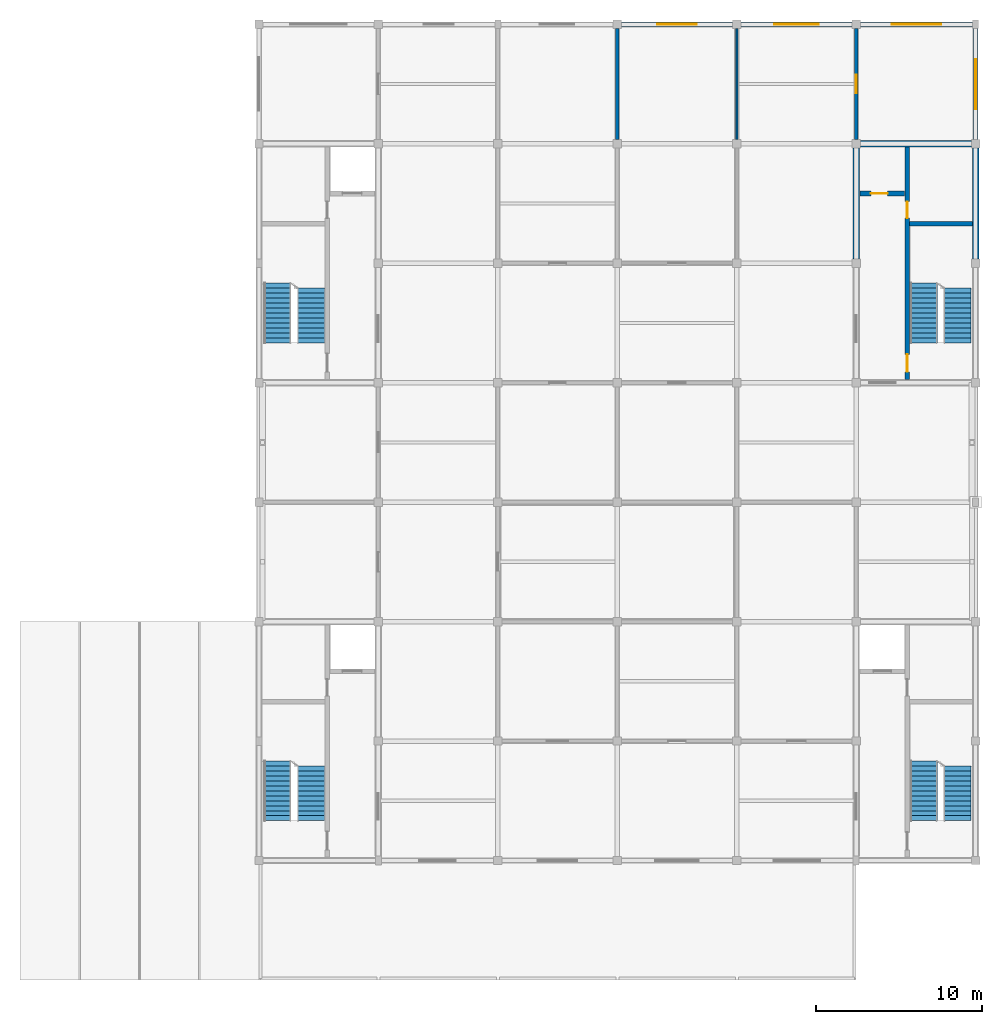
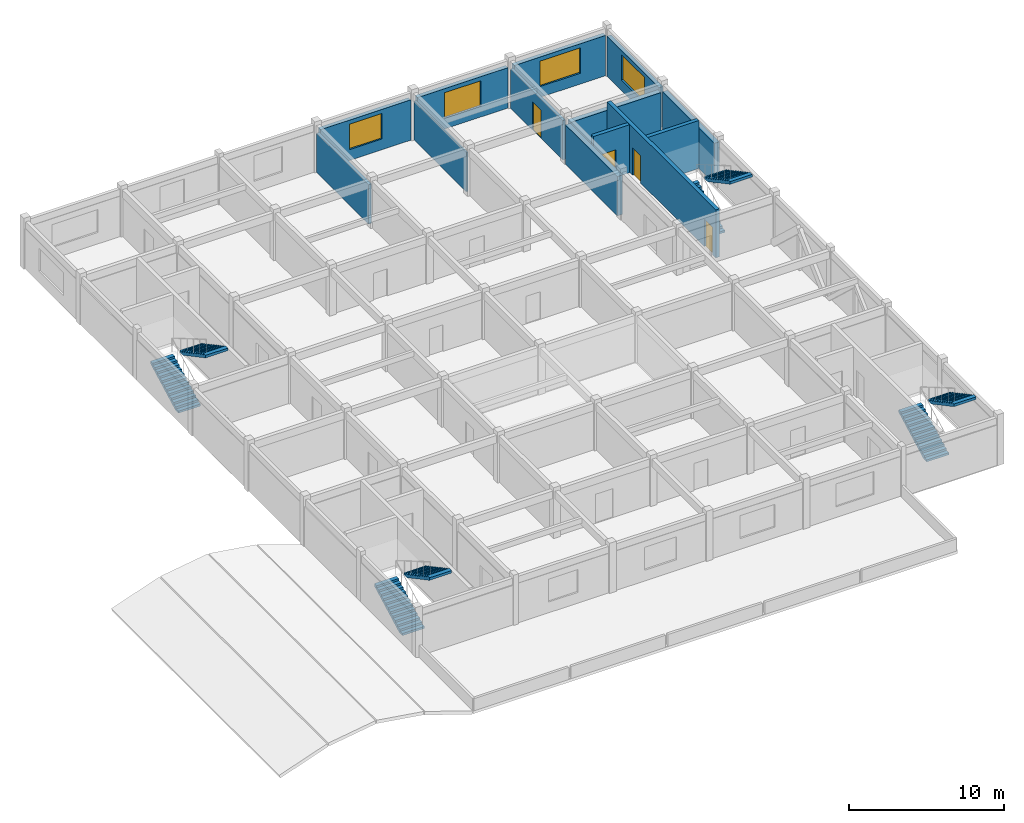
# One storey, part 5 of 6: 13 walls, 8 stair flights, 4 doors, 4 windows, 8 openings, 4 elements without a shape of their own.
"""IFC4 building model written with IfcOpenShell, lengths in metres."""

from ifc_helpers import new_model, si_unit, direction, frame, frame_2d, origin, place, context, subcontext, project, spatial, polyline, rectangle, outline, extrude, material, layer, layer_set, type_object, element, fill, aggregate, save


model = new_model("IFC4")

# Units and contexts
model_context = context("Model", 3, precision=1e-05, world=origin(), true_north=direction((0.0, 1.0)))
body_context = subcontext(model_context, "Body", "Model", "MODEL_VIEW")
ifc_project = project(units=[si_unit("LENGTHUNIT", "METRE"), si_unit("AREAUNIT", "SQUARE_METRE"), si_unit("VOLUMEUNIT", "CUBIC_METRE"), si_unit("PLANEANGLEUNIT", "RADIAN"), si_unit("MASSUNIT", "GRAM", prefix="KILO")], contexts=[model_context])

# Site, building, storey
site_placement = place(None, origin())
site = spatial("IfcSite", under=ifc_project, at=site_placement, CompositionType="ELEMENT")
building_placement = place(site_placement, origin())
building = spatial("IfcBuilding", under=site, at=building_placement, Name="Cendaluz Park School", CompositionType="ELEMENT")
storey_placement = place(building_placement, frame((0.0, 0.0, 55.0)))
storey = spatial("IfcBuildingStorey", under=building, at=storey_placement, Name="L13", CompositionType="ELEMENT", Elevation=55.0)

# Wall, opening, door
ifc_material_1 = material(Name="Gypsum Plasterboard on Cold-Formed Stud", Category="gypsum")
ifc_layer_1 = layer(ifc_material_1, 0.199951171875)
ifc_layer_set_1 = layer_set([ifc_layer_1], Name="Gypsum Plasterboard on Cold-Formed Stud")
wall_type_1 = type_object("IfcWallType", Name="W-AC20", PredefinedType="PARTITIONING", material=ifc_layer_set_1)
wall_1_placement = place(storey_placement, frame((100.800048828125, 57.85009765625, 0.0), z_axis=(0.0, 0.0, 1.0), x_axis=(0.0, 1.0, 0.0)))
wall_1 = element("IfcWall", 1, at=wall_1_placement, inside=storey, type_object=wall_type_1, Name="WL-FN-BN0", PredefinedType="PARTITIONING", context=body_context, shape_type="SweptSolid", body=[
    extrude(rectangle(XDim=6.699951171875, YDim=0.199951171875, at=frame_2d((3.35009765625, 0.0))), origin(), (0.0, 0.0, 1.0), 3.090087890625),
])
opening_1_placement = place(wall_1_placement, frame((2.7900390625, 0.0, 0.0)))
opening_1 = element("IfcOpeningElement", 2, at=opening_1_placement, cuts=wall_1, Name="Opening DCL-06", PredefinedType="OPENING", context=body_context, shape_type="SweptSolid", body=[
    extrude(rectangle(XDim=1.1201171875, YDim=2.199951171875, at=frame_2d((0.56005859375, 1.10009765625))), frame((0.0, 0.112060546875, 0.0), z_axis=(0.0, -1.0, 0.0), x_axis=(1.0, 0.0, 0.0)), (0.0, 0.0, 1.0), 0.223876953125),
])
ifc_material_2 = material(Name="Solid Core Hardwood", Category="wood")
door_type_1 = type_object("IfcDoorType", Name="DCL-06", OperationType="NOTDEFINED", PredefinedType="DOOR", material=ifc_material_2)
door_1_placement = place(opening_1_placement, frame((1.1201171875, 0.0, 0.0), z_axis=(0.0, 0.0, 1.0), x_axis=(-1.0, 0.0, 0.0)))
door_1 = element("IfcDoor", 3, at=door_1_placement, inside=storey, type_object=door_type_1, Name="D-L13-029", OperationType="SINGLE_SWING_RIGHT", OverallHeight=2.199951171875, OverallWidth=1.1201171875, PredefinedType="DOOR", context=body_context, shape_type="SweptSolid", body=[
    extrude(rectangle(XDim=1.1201171875, YDim=2.199951171875, at=frame_2d((0.56005859375, 1.10009765625))), frame((0.0, 0.02490234375, 0.0), z_axis=(0.0, -1.0, 0.0), x_axis=(1.0, 0.0, 0.0)), (0.0, 0.0, 1.0), 0.050048828125),
])
fill(opening_1, door_1)

# Wall, opening, window
ifc_material_3 = material(Name="Cross-laminated timber CLT C24", Category="wood")
ifc_layer_2 = layer(ifc_material_3, 0.300048828125)
ifc_layer_set_2 = layer_set([ifc_layer_2], Name="Cross-laminated timber CLT C24")
wall_type_2 = type_object("IfcWallType", Name="W-EX30", PredefinedType="SOLIDWALL", material=ifc_layer_set_2)
wall_2_placement = place(storey_placement, frame((86.64990234375, 64.800048828125, 0.0), z_axis=(0.0, 0.0, 1.0), x_axis=(1.0, 0.0, 0.0)))
wall_2 = element("IfcWall", 4, at=wall_2_placement, inside=storey, type_object=wall_type_2, Name="WL-FN-AA9", PredefinedType="SOLIDWALL", context=body_context, shape_type="SweptSolid", body=[
    extrude(rectangle(XDim=6.7001953125, YDim=0.300048828125, at=frame_2d((3.35009765625, 0.0))), origin(), (0.0, 0.0, 1.0), 3.169921875),
])
opening_2_placement = place(wall_2_placement, frame((2.14990234375, 0.0, 0.85009765625)))
opening_2 = element("IfcOpeningElement", 5, at=opening_2_placement, cuts=wall_2, Name="Opening WN-12", PredefinedType="OPENING", context=body_context, shape_type="SweptSolid", body=[
    extrude(rectangle(XDim=2.39990234375, YDim=2.0, at=frame_2d((1.199951171875, 1.0))), frame((0.0, 0.162109375, 0.0), z_axis=(0.0, -1.0, 0.0), x_axis=(1.0, 0.0, 0.0)), (0.0, 0.0, 1.0), 0.323974609375),
])
ifc_material_4 = material(Name="Tempered Low-E Double Glazing", Category="glass")
window_type_1 = type_object("IfcWindowType", Name="WN-12", PartitioningType="SINGLE_PANEL", PredefinedType="WINDOW", material=ifc_material_4)
window_1_placement = place(opening_2_placement, origin())
window_1 = element("IfcWindow", 6, at=window_1_placement, inside=storey, type_object=window_type_1, Name="WN-L13-008", OverallHeight=2.0, OverallWidth=2.39990234375, PartitioningType="SINGLE_PANEL", PredefinedType="WINDOW", context=body_context, shape_type="SweptSolid", body=[
    extrude(rectangle(XDim=2.39990234375, YDim=2.0, at=frame_2d((1.199951171875, 1.0))), frame((0.0, 0.030029296875, 0.0), z_axis=(0.0, -1.0, 0.0), x_axis=(1.0, 0.0, 0.0)), (0.0, 0.0, 1.0), 0.06005859375),
])
fill(opening_2, window_1)

wall_3_placement = place(storey_placement, frame((93.85009765625, 64.800048828125, 0.0), z_axis=(0.0, 0.0, 1.0), x_axis=(1.0, 0.0, 0.0)))
wall_3 = element("IfcWall", 7, at=wall_3_placement, inside=storey, type_object=wall_type_2, Name="WL-FN-AB1", PredefinedType="SOLIDWALL", context=body_context, shape_type="SweptSolid", body=[
    extrude(rectangle(XDim=6.699951171875, YDim=0.300048828125, at=frame_2d((3.35009765625, 0.0))), origin(), (0.0, 0.0, 1.0), 3.169921875),
])
opening_3_placement = place(wall_3_placement, frame((2.0, 0.0, 0.85009765625)))
opening_3 = element("IfcOpeningElement", 8, at=opening_3_placement, cuts=wall_3, Name="Opening WN-13", PredefinedType="OPENING", context=body_context, shape_type="SweptSolid", body=[
    extrude(rectangle(XDim=2.699951171875, YDim=2.0, at=frame_2d((1.35009765625, 1.0))), frame((0.0, 0.162109375, 0.0), z_axis=(0.0, -1.0, 0.0), x_axis=(1.0, 0.0, 0.0)), (0.0, 0.0, 1.0), 0.323974609375),
])
window_type_2 = type_object("IfcWindowType", Name="WN-13", PartitioningType="SINGLE_PANEL", PredefinedType="WINDOW", material=ifc_material_4)
window_2_placement = place(opening_3_placement, origin())
window_2 = element("IfcWindow", 9, at=window_2_placement, inside=storey, type_object=window_type_2, Name="WN-L13-010", OverallHeight=2.0, OverallWidth=2.699951171875, PartitioningType="SINGLE_PANEL", PredefinedType="WINDOW", context=body_context, shape_type="SweptSolid", body=[
    extrude(rectangle(XDim=2.699951171875, YDim=2.0, at=frame_2d((1.35009765625, 1.0))), frame((0.0, 0.030029296875, 0.0), z_axis=(0.0, -1.0, 0.0), x_axis=(1.0, 0.0, 0.0)), (0.0, 0.0, 1.0), 0.06005859375),
])
fill(opening_3, window_2)

wall_4_placement = place(storey_placement, frame((101.050048828125, 64.800048828125, 0.0), z_axis=(0.0, 0.0, 1.0), x_axis=(1.0, 0.0, 0.0)))
wall_4 = element("IfcWall", 10, at=wall_4_placement, inside=storey, type_object=wall_type_2, Name="WL-FN-AB4", PredefinedType="SOLIDWALL", context=body_context, shape_type="SweptSolid", body=[
    extrude(rectangle(XDim=6.77001953125, YDim=0.300048828125, at=frame_2d((3.385009765625, 0.0))), origin(), (0.0, 0.0, 1.0), 3.169921875),
])
opening_4_placement = place(wall_4_placement, frame((1.885009765625, 0.0, 0.85009765625)))
opening_4 = element("IfcOpeningElement", 11, at=opening_4_placement, cuts=wall_4, Name="Opening WN-14", PredefinedType="OPENING", context=body_context, shape_type="SweptSolid", body=[
    extrude(rectangle(XDim=3.0, YDim=2.0, at=frame_2d((1.5, 1.0))), frame((0.0, 0.162109375, 0.0), z_axis=(0.0, -1.0, 0.0), x_axis=(1.0, 0.0, 0.0)), (0.0, 0.0, 1.0), 0.323974609375),
])
window_type_3 = type_object("IfcWindowType", Name="WN-14", PartitioningType="SINGLE_PANEL", PredefinedType="WINDOW", material=ifc_material_4)
window_3_placement = place(opening_4_placement, origin())
window_3 = element("IfcWindow", 12, at=window_3_placement, inside=storey, type_object=window_type_3, Name="WN-L13-011", OverallHeight=2.0, OverallWidth=3.0, PartitioningType="SINGLE_PANEL", PredefinedType="WINDOW", context=body_context, shape_type="SweptSolid", body=[
    extrude(rectangle(XDim=3.0, YDim=2.0, at=frame_2d((1.5, 1.0))), frame((0.0, 0.030029296875, 0.0), z_axis=(0.0, -1.0, 0.0), x_axis=(1.0, 0.0, 0.0)), (0.0, 0.0, 1.0), 0.06005859375),
])
fill(opening_4, window_3)

wall_5_placement = place(storey_placement, frame((108.0, 57.85009765625, 0.0), z_axis=(0.0, 0.0, 1.0), x_axis=(0.0, 1.0, 0.0)))
wall_5 = element("IfcWall", 13, at=wall_5_placement, inside=storey, type_object=wall_type_2, Name="WL-FN-AB5", PredefinedType="SOLIDWALL", context=body_context, shape_type="SweptSolid", body=[
    extrude(rectangle(XDim=6.68994140625, YDim=0.300048828125, at=frame_2d((3.344970703125, 0.0))), origin(), (0.0, 0.0, 1.0), 3.169921875),
])
opening_5_placement = place(wall_5_placement, frame((1.844970703125, 0.0, 0.85009765625)))
opening_5 = element("IfcOpeningElement", 14, at=opening_5_placement, cuts=wall_5, Name="Opening WN-14", PredefinedType="OPENING", context=body_context, shape_type="SweptSolid", body=[
    extrude(rectangle(XDim=3.0, YDim=2.0, at=frame_2d((1.5, 1.0))), frame((0.0, 0.162109375, 0.0), z_axis=(0.0, -1.0, 0.0), x_axis=(1.0, 0.0, 0.0)), (0.0, 0.0, 1.0), 0.323974609375),
])
window_4_placement = place(opening_5_placement, origin())
window_4 = element("IfcWindow", 15, at=window_4_placement, inside=storey, type_object=window_type_3, Name="WN-L13-012", OverallHeight=2.0, OverallWidth=3.0, PartitioningType="SINGLE_PANEL", PredefinedType="WINDOW", context=body_context, shape_type="SweptSolid", body=[
    extrude(rectangle(XDim=3.0, YDim=2.0, at=frame_2d((1.5, 1.0))), frame((0.0, 0.030029296875, 0.0), z_axis=(0.0, -1.0, 0.0), x_axis=(1.0, 0.0, 0.0)), (0.0, 0.0, 1.0), 0.06005859375),
])
fill(opening_5, window_4)

# Wall, openings, doors
ifc_material_5 = material(Name="Concrete C40/50", Category="concrete")
ifc_layer_3 = layer(ifc_material_5, 0.280029296875)
ifc_layer_set_3 = layer_set([ifc_layer_3], Name="Concrete C40/50")
wall_type_3 = type_object("IfcWallType", Name="W-FW28", PredefinedType="SHEAR", material=ifc_layer_set_3)
wall_6_placement = place(storey_placement, frame((103.8798828125, 43.39990234375, 0.0), z_axis=(0.0, 0.0, 1.0), x_axis=(0.0, 1.0, 0.0)))
wall_6 = element("IfcWall", 16, at=wall_6_placement, inside=storey, type_object=wall_type_3, Name="WL-FN-BJ6", PredefinedType="SHEAR", context=body_context, shape_type="SweptSolid", body=[
    extrude(rectangle(XDim=14.0, YDim=0.280029296875, at=frame_2d((7.0, 0.0))), origin(), (0.0, 0.0, 1.0), 3.77001953125),
])
opening_6_placement = place(wall_6_placement, frame((0.449951171875, 0.0, 0.0)))
opening_6 = element("IfcOpeningElement", 17, at=opening_6_placement, cuts=wall_6, Name="Opening DST-02", PredefinedType="OPENING", context=body_context, shape_type="SweptSolid", body=[
    extrude(rectangle(XDim=1.050048828125, YDim=2.14990234375, at=frame_2d((0.52490234375, 1.074951171875))), frame((0.0, 0.152099609375, 0.0), z_axis=(0.0, -1.0, 0.0), x_axis=(1.0, 0.0, 0.0)), (0.0, 0.0, 1.0), 0.303955078125),
])
opening_7_placement = place(wall_6_placement, frame((9.719970703125, 0.0, 0.0)))
opening_7 = element("IfcOpeningElement", 18, at=opening_7_placement, cuts=wall_6, Name="Opening DFC-01", PredefinedType="OPENING", context=body_context, shape_type="SweptSolid", body=[
    extrude(rectangle(XDim=1.0, YDim=2.14990234375, at=frame_2d((0.5, 1.074951171875))), frame((0.0, 0.152099609375, 0.0), z_axis=(0.0, -1.0, 0.0), x_axis=(1.0, 0.0, 0.0)), (0.0, 0.0, 1.0), 0.303955078125),
])
door_type_2 = type_object("IfcDoorType", Name="DFC-01", OperationType="NOTDEFINED", PredefinedType="DOOR", material=ifc_material_2)
door_2_placement = place(opening_7_placement, frame((1.0, 0.0, 0.0), z_axis=(0.0, 0.0, 1.0), x_axis=(-1.0, 0.0, 0.0)))
door_2 = element("IfcDoor", 19, at=door_2_placement, inside=storey, type_object=door_type_2, Name="D-L13-016", OperationType="SINGLE_SWING_LEFT", OverallHeight=2.14990234375, OverallWidth=1.0, PredefinedType="DOOR", context=body_context, shape_type="SweptSolid", body=[
    extrude(rectangle(XDim=1.0, YDim=2.14990234375, at=frame_2d((0.5, 1.074951171875))), frame((0.0, 0.02490234375, 0.0), z_axis=(0.0, -1.0, 0.0), x_axis=(1.0, 0.0, 0.0)), (0.0, 0.0, 1.0), 0.050048828125),
])
fill(opening_7, door_2)
door_type_3 = type_object("IfcDoorType", Name="DST-02", OperationType="NOTDEFINED", PredefinedType="DOOR", material=ifc_material_2)
door_3_placement = place(opening_6_placement, frame((1.050048828125, 0.0, 0.0), z_axis=(0.0, 0.0, 1.0), x_axis=(-1.0, 0.0, 0.0)))
door_3 = element("IfcDoor", 20, at=door_3_placement, inside=storey, type_object=door_type_3, Name="D-L13-015", OperationType="SINGLE_SWING_RIGHT", OverallHeight=2.14990234375, OverallWidth=1.050048828125, PredefinedType="DOOR", context=body_context, shape_type="SweptSolid", body=[
    extrude(rectangle(XDim=1.050048828125, YDim=2.14990234375, at=frame_2d((0.52490234375, 1.074951171875))), frame((0.0, 0.02490234375, 0.0), z_axis=(0.0, -1.0, 0.0), x_axis=(1.0, 0.0, 0.0)), (0.0, 0.0, 1.0), 0.050048828125),
])
fill(opening_6, door_3)

# Wall
wall_7_placement = place(storey_placement, frame((104.02001953125, 52.780029296875, 0.0), z_axis=(0.0, 0.0, 1.0), x_axis=(1.0, 0.0, 0.0)))
element("IfcWall", 21, at=wall_7_placement, inside=storey, type_object=wall_type_3, Name="WL-FN-BJ7", PredefinedType="SHEAR", context=body_context, shape_type="SweptSolid", body=[
    extrude(rectangle(XDim=3.780029296875, YDim=0.280029296875, at=frame_2d((1.89013671875, 0.0))), origin(), (0.0, 0.0, 1.0), 3.77001953125),
])

# Wall, opening, door
wall_8_placement = place(storey_placement, frame((101.0400390625, 54.60009765625, 0.0), z_axis=(0.0, 0.0, 1.0), x_axis=(1.0, 0.0, 0.0)))
wall_8 = element("IfcWall", 22, at=wall_8_placement, inside=storey, type_object=wall_type_3, Name="WL-FN-BJ8", PredefinedType="SHEAR", context=body_context, shape_type="SweptSolid", body=[
    extrude(rectangle(XDim=2.679931640625, YDim=0.280029296875, at=frame_2d((1.33984375, 0.0))), origin(), (0.0, 0.0, 1.0), 3.77001953125),
])
opening_8_placement = place(wall_8_placement, frame((0.64990234375, 0.0, 0.0)))
opening_8 = element("IfcOpeningElement", 23, at=opening_8_placement, cuts=wall_8, Name="Opening DFC-01", PredefinedType="OPENING", context=body_context, shape_type="SweptSolid", body=[
    extrude(rectangle(XDim=1.0, YDim=2.14990234375, at=frame_2d((0.5, 1.074951171875))), frame((0.0, 0.152099609375, 0.0), z_axis=(0.0, -1.0, 0.0), x_axis=(1.0, 0.0, 0.0)), (0.0, 0.0, 1.0), 0.303955078125),
])
door_4_placement = place(opening_8_placement, frame((1.0, 0.0, 0.0), z_axis=(0.0, 0.0, 1.0), x_axis=(-1.0, 0.0, 0.0)))
door_4 = element("IfcDoor", 24, at=door_4_placement, inside=storey, type_object=door_type_2, Name="D-L13-017", OperationType="SINGLE_SWING_RIGHT", OverallHeight=2.14990234375, OverallWidth=1.0, PredefinedType="DOOR", context=body_context, shape_type="SweptSolid", body=[
    extrude(rectangle(XDim=1.0, YDim=2.14990234375, at=frame_2d((0.5, 1.074951171875))), frame((0.0, 0.02490234375, 0.0), z_axis=(0.0, -1.0, 0.0), x_axis=(1.0, 0.0, 0.0)), (0.0, 0.0, 1.0), 0.050048828125),
])
fill(opening_8, door_4)

# Walls
ifc_layer_4 = layer(ifc_material_1, 0.219970703125)
ifc_layer_set_4 = layer_set([ifc_layer_4], Name="Gypsum Plasterboard on Cold-Formed Stud")
wall_type_4 = type_object("IfcWallType", Name="W-LB22", PredefinedType="PARTITIONING", material=ifc_layer_set_4)
wall_9_placement = place(storey_placement, frame((86.39990234375, 57.85009765625, 0.0), z_axis=(0.0, 0.0, 1.0), x_axis=(0.0, 1.0, 0.0)))
element("IfcWall", 25, at=wall_9_placement, inside=storey, type_object=wall_type_4, Name="WL-FN-BM3", PredefinedType="PARTITIONING", context=body_context, shape_type="SweptSolid", body=[
    extrude(rectangle(XDim=6.699951171875, YDim=0.219970703125, at=frame_2d((3.35009765625, 0.0))), origin(), (0.0, 0.0, 1.0), 3.090087890625),
])
ifc_layer_5 = layer(ifc_material_1, 0.1201171875)
ifc_layer_set_5 = layer_set([ifc_layer_5], Name="Gypsum Plasterboard on Cold-Formed Stud")
wall_type_5 = type_object("IfcWallType", Name="W-MV12", PredefinedType="MOVABLE", material=ifc_layer_set_5)
wall_10_placement = place(storey_placement, frame((93.60009765625, 57.85009765625, 0.0), z_axis=(0.0, 0.0, 1.0), x_axis=(0.0, 1.0, 0.0)))
element("IfcWall", 26, at=wall_10_placement, inside=storey, type_object=wall_type_5, Name="WL-FN-BM9", PredefinedType="MOVABLE", context=body_context, shape_type="SweptSolid", body=[
    extrude(rectangle(XDim=6.699951171875, YDim=0.1201171875, at=frame_2d((3.35009765625, 0.0))), origin(), (0.0, 0.0, 1.0), 3.090087890625),
])
ifc_layer_6 = layer(ifc_material_5, 0.3798828125)
ifc_layer_set_6 = layer_set([ifc_layer_6], Name="Concrete C40/50")
wall_type_6 = type_object("IfcWallType", Name="W-SH38", PredefinedType="SHEAR", material=ifc_layer_set_6)
wall_11_placement = place(storey_placement, frame((100.800048828125, 50.64990234375, 0.0), z_axis=(0.0, 0.0, 1.0), x_axis=(0.0, 1.0, 0.0)))
element("IfcWall", 27, at=wall_11_placement, inside=storey, type_object=wall_type_6, Name="WL-FN-BJ1", PredefinedType="SHEAR", context=body_context, shape_type="SweptSolid", body=[
    extrude(rectangle(XDim=6.7001953125, YDim=0.3798828125, at=frame_2d((3.35009765625, 0.0))), origin(), (0.0, 0.0, 1.0), 3.090087890625),
])
wall_12_placement = place(storey_placement, frame((108.0, 50.64990234375, 0.0), z_axis=(0.0, 0.0, 1.0), x_axis=(0.0, 1.0, 0.0)))
element("IfcWall", 28, at=wall_12_placement, inside=storey, type_object=wall_type_6, Name="WL-FN-BJ3", PredefinedType="SHEAR", context=body_context, shape_type="SweptSolid", body=[
    extrude(rectangle(XDim=6.7001953125, YDim=0.3798828125, at=frame_2d((3.35009765625, 0.0))), origin(), (0.0, 0.0, 1.0), 3.169921875),
])
wall_13_placement = place(storey_placement, frame((101.050048828125, 57.60009765625, 0.0), z_axis=(0.0, 0.0, 1.0), x_axis=(1.0, 0.0, 0.0)))
element("IfcWall", 29, at=wall_13_placement, inside=storey, type_object=wall_type_6, Name="WL-FN-BJ5", PredefinedType="SHEAR", context=body_context, shape_type="SweptSolid", body=[
    extrude(rectangle(XDim=6.699951171875, YDim=0.3798828125, at=frame_2d((3.35009765625, 0.0))), origin(), (0.0, 0.0, 1.0), 3.090087890625),
])

# Stair, stair flight
stair_type = type_object("IfcStairType", Name="ST-400-165", PredefinedType="HALF_TURN_STAIR", material=ifc_material_3)
stair_1_placement = place(storey_placement, origin())
stair_1 = element("IfcStair", 30, at=stair_1_placement, inside=storey, type_object=stair_type, Name="ST-L13-C1", PredefinedType="HALF_TURN_STAIR")
stair_flight_type_1 = type_object("IfcStairFlightType", Name="SF-12-160-165", PredefinedType="STRAIGHT", material=ifc_material_3)
stair_flight_1_placement = place(storey_placement, frame((67.93505859375, 20.10009765625, 2.080078125), z_axis=(0.0, 0.0, 1.0), x_axis=(0.0, -1.0, 0.0)))
stair_flight_1 = element("IfcStairFlight", 31, at=stair_flight_1_placement, type_object=stair_flight_type_1, Name="SF-L13-C1-2", NumberOfRisers=12, NumberOfTreads=11, PredefinedType="STRAIGHT", RiserHeight=0.16, TreadLength=0.3, context=body_context, shape_type="SweptSolid", body=[
    extrude(outline(polyline([(0.0, 0.0), (0.0, 0.159912109375), (0.300048828125, 0.159912109375), (0.300048828125, 0.320068359375), (0.60009765625, 0.320068359375), (0.60009765625, 0.47998046875), (0.89990234375, 0.47998046875), (0.89990234375, 0.639892578125), (1.199951171875, 0.639892578125), (1.199951171875, 0.800048828125), (1.5, 0.800048828125), (1.5, 0.9599609375), (1.800048828125, 0.9599609375), (1.800048828125, 1.1201171875), (2.10009765625, 1.1201171875), (2.10009765625, 1.280029296875), (2.39990234375, 1.280029296875), (2.39990234375, 1.43994140625), (2.699951171875, 1.43994140625), (2.699951171875, 1.60009765625), (3.0, 1.60009765625), (3.0, 1.760009765625), (3.300048828125, 1.760009765625), (3.300048828125, 1.919921875), (3.300048828125, 1.55615234375), (0.38232421875, 0.0), (0.0, 0.0)])), frame((0.0, 0.824951171875, 0.0), z_axis=(0.0, -1.0, 0.0), x_axis=(1.0, 0.0, 0.0)), (0.0, 0.0, 1.0), 1.64990234375),
])

stair_2_placement = place(storey_placement, origin())
stair_2 = element("IfcStair", 32, at=stair_2_placement, inside=storey, type_object=stair_type, Name="ST-L13-C2", PredefinedType="HALF_TURN_STAIR")
stair_flight_2_placement = place(storey_placement, frame((106.885009765625, 20.10009765625, 2.080078125), z_axis=(0.0, 0.0, 1.0), x_axis=(0.0, -1.0, 0.0)))
stair_flight_2 = element("IfcStairFlight", 33, at=stair_flight_2_placement, type_object=stair_flight_type_1, Name="SF-L13-C2-2", NumberOfRisers=12, NumberOfTreads=11, PredefinedType="STRAIGHT", RiserHeight=0.16, TreadLength=0.3, context=body_context, shape_type="SweptSolid", body=[
    extrude(outline(polyline([(0.0, 0.0), (0.0, 0.159912109375), (0.300048828125, 0.159912109375), (0.300048828125, 0.320068359375), (0.60009765625, 0.320068359375), (0.60009765625, 0.47998046875), (0.89990234375, 0.47998046875), (0.89990234375, 0.639892578125), (1.199951171875, 0.639892578125), (1.199951171875, 0.800048828125), (1.5, 0.800048828125), (1.5, 0.9599609375), (1.800048828125, 0.9599609375), (1.800048828125, 1.1201171875), (2.10009765625, 1.1201171875), (2.10009765625, 1.280029296875), (2.39990234375, 1.280029296875), (2.39990234375, 1.43994140625), (2.699951171875, 1.43994140625), (2.699951171875, 1.60009765625), (3.0, 1.60009765625), (3.0, 1.760009765625), (3.300048828125, 1.760009765625), (3.300048828125, 1.919921875), (3.300048828125, 1.55615234375), (0.38232421875, 0.0), (0.0, 0.0)])), frame((0.0, 0.824951171875, 0.0), z_axis=(0.0, -1.0, 0.0), x_axis=(1.0, 0.0, 0.0)), (0.0, 0.0, 1.0), 1.64990234375),
])

stair_3_placement = place(storey_placement, origin())
stair_3 = element("IfcStair", 34, at=stair_3_placement, inside=storey, type_object=stair_type, Name="ST-L13-C3", PredefinedType="HALF_TURN_STAIR")
stair_flight_3_placement = place(storey_placement, frame((67.93505859375, 48.89990234375, 2.080078125), z_axis=(0.0, 0.0, 1.0), x_axis=(0.0, -1.0, 0.0)))
stair_flight_3 = element("IfcStairFlight", 35, at=stair_flight_3_placement, type_object=stair_flight_type_1, Name="SF-L13-C3-2", NumberOfRisers=12, NumberOfTreads=11, PredefinedType="STRAIGHT", RiserHeight=0.16, TreadLength=0.3, context=body_context, shape_type="SweptSolid", body=[
    extrude(outline(polyline([(0.0, 0.0), (0.0, 0.159912109375), (0.300048828125, 0.159912109375), (0.300048828125, 0.320068359375), (0.60009765625, 0.320068359375), (0.60009765625, 0.47998046875), (0.89990234375, 0.47998046875), (0.89990234375, 0.639892578125), (1.199951171875, 0.639892578125), (1.199951171875, 0.800048828125), (1.5, 0.800048828125), (1.5, 0.9599609375), (1.800048828125, 0.9599609375), (1.800048828125, 1.1201171875), (2.10009765625, 1.1201171875), (2.10009765625, 1.280029296875), (2.39990234375, 1.280029296875), (2.39990234375, 1.43994140625), (2.699951171875, 1.43994140625), (2.699951171875, 1.60009765625), (3.0, 1.60009765625), (3.0, 1.760009765625), (3.300048828125, 1.760009765625), (3.300048828125, 1.919921875), (3.300048828125, 1.55615234375), (0.38232421875, 0.0), (0.0, 0.0)])), frame((0.0, 0.824951171875, 0.0), z_axis=(0.0, -1.0, 0.0), x_axis=(1.0, 0.0, 0.0)), (0.0, 0.0, 1.0), 1.64990234375),
])

stair_4_placement = place(storey_placement, origin())
stair_4 = element("IfcStair", 36, at=stair_4_placement, inside=storey, type_object=stair_type, Name="ST-L13-C4", PredefinedType="HALF_TURN_STAIR")
stair_flight_4_placement = place(storey_placement, frame((106.885009765625, 48.89990234375, 2.080078125), z_axis=(0.0, 0.0, 1.0), x_axis=(0.0, -1.0, 0.0)))
stair_flight_4 = element("IfcStairFlight", 37, at=stair_flight_4_placement, type_object=stair_flight_type_1, Name="SF-L13-C4-2", NumberOfRisers=12, NumberOfTreads=11, PredefinedType="STRAIGHT", RiserHeight=0.16, TreadLength=0.3, context=body_context, shape_type="SweptSolid", body=[
    extrude(outline(polyline([(0.0, 0.0), (0.0, 0.159912109375), (0.300048828125, 0.159912109375), (0.300048828125, 0.320068359375), (0.60009765625, 0.320068359375), (0.60009765625, 0.47998046875), (0.89990234375, 0.47998046875), (0.89990234375, 0.639892578125), (1.199951171875, 0.639892578125), (1.199951171875, 0.800048828125), (1.5, 0.800048828125), (1.5, 0.9599609375), (1.800048828125, 0.9599609375), (1.800048828125, 1.1201171875), (2.10009765625, 1.1201171875), (2.10009765625, 1.280029296875), (2.39990234375, 1.280029296875), (2.39990234375, 1.43994140625), (2.699951171875, 1.43994140625), (2.699951171875, 1.60009765625), (3.0, 1.60009765625), (3.0, 1.760009765625), (3.300048828125, 1.760009765625), (3.300048828125, 1.919921875), (3.300048828125, 1.55615234375), (0.38232421875, 0.0), (0.0, 0.0)])), frame((0.0, 0.824951171875, 0.0), z_axis=(0.0, -1.0, 0.0), x_axis=(1.0, 0.0, 0.0)), (0.0, 0.0, 1.0), 1.64990234375),
])

# Stair flight
stair_flight_type_2 = type_object("IfcStairFlightType", Name="SF-13-160-165", PredefinedType="STRAIGHT", material=ifc_material_3)
stair_flight_5_placement = place(storey_placement, frame((65.9150390625, 16.800048828125, 0.0), z_axis=(0.0, 0.0, 1.0), x_axis=(0.0, 1.0, 0.0)))
stair_flight_5 = element("IfcStairFlight", 38, at=stair_flight_5_placement, type_object=stair_flight_type_2, Name="SF-L13-C1-1", NumberOfRisers=13, NumberOfTreads=12, PredefinedType="STRAIGHT", RiserHeight=0.16, TreadLength=0.3, context=body_context, shape_type="SweptSolid", body=[
    extrude(outline(polyline([(0.0, 0.0), (0.0, 0.159912109375), (0.300048828125, 0.159912109375), (0.300048828125, 0.320068359375), (0.60009765625, 0.320068359375), (0.60009765625, 0.47998046875), (0.89990234375, 0.47998046875), (0.89990234375, 0.639892578125), (1.199951171875, 0.639892578125), (1.199951171875, 0.800048828125), (1.5, 0.800048828125), (1.5, 0.9599609375), (1.800048828125, 0.9599609375), (1.800048828125, 1.1201171875), (2.10009765625, 1.1201171875), (2.10009765625, 1.280029296875), (2.39990234375, 1.280029296875), (2.39990234375, 1.43994140625), (2.699951171875, 1.43994140625), (2.699951171875, 1.60009765625), (3.0, 1.60009765625), (3.0, 1.760009765625), (3.300048828125, 1.760009765625), (3.300048828125, 1.919921875), (3.60009765625, 1.919921875), (3.60009765625, 2.080078125), (3.60009765625, 1.716064453125), (0.38232421875, 0.0), (0.0, 0.0)])), frame((0.0, 0.824951171875, 0.0), z_axis=(0.0, -1.0, 0.0), x_axis=(1.0, 0.0, 0.0)), (0.0, 0.0, 1.0), 1.64990234375),
])

aggregate(stair_1, [stair_flight_5, stair_flight_1])

stair_flight_6_placement = place(storey_placement, frame((104.864990234375, 16.800048828125, 0.0), z_axis=(0.0, 0.0, 1.0), x_axis=(0.0, 1.0, 0.0)))
stair_flight_6 = element("IfcStairFlight", 39, at=stair_flight_6_placement, type_object=stair_flight_type_2, Name="SF-L13-C2-1", NumberOfRisers=13, NumberOfTreads=12, PredefinedType="STRAIGHT", RiserHeight=0.16, TreadLength=0.3, context=body_context, shape_type="SweptSolid", body=[
    extrude(outline(polyline([(0.0, 0.0), (0.0, 0.159912109375), (0.300048828125, 0.159912109375), (0.300048828125, 0.320068359375), (0.60009765625, 0.320068359375), (0.60009765625, 0.47998046875), (0.89990234375, 0.47998046875), (0.89990234375, 0.639892578125), (1.199951171875, 0.639892578125), (1.199951171875, 0.800048828125), (1.5, 0.800048828125), (1.5, 0.9599609375), (1.800048828125, 0.9599609375), (1.800048828125, 1.1201171875), (2.10009765625, 1.1201171875), (2.10009765625, 1.280029296875), (2.39990234375, 1.280029296875), (2.39990234375, 1.43994140625), (2.699951171875, 1.43994140625), (2.699951171875, 1.60009765625), (3.0, 1.60009765625), (3.0, 1.760009765625), (3.300048828125, 1.760009765625), (3.300048828125, 1.919921875), (3.60009765625, 1.919921875), (3.60009765625, 2.080078125), (3.60009765625, 1.716064453125), (0.38232421875, 0.0), (0.0, 0.0)])), frame((0.0, 0.824951171875, 0.0), z_axis=(0.0, -1.0, 0.0), x_axis=(1.0, 0.0, 0.0)), (0.0, 0.0, 1.0), 1.64990234375),
])

aggregate(stair_2, [stair_flight_6, stair_flight_2])

stair_flight_7_placement = place(storey_placement, frame((65.9150390625, 45.60009765625, 0.0), z_axis=(0.0, 0.0, 1.0), x_axis=(0.0, 1.0, 0.0)))
stair_flight_7 = element("IfcStairFlight", 40, at=stair_flight_7_placement, type_object=stair_flight_type_2, Name="SF-L13-C3-1", NumberOfRisers=13, NumberOfTreads=12, PredefinedType="STRAIGHT", RiserHeight=0.16, TreadLength=0.3, context=body_context, shape_type="SweptSolid", body=[
    extrude(outline(polyline([(0.0, 0.0), (0.0, 0.159912109375), (0.300048828125, 0.159912109375), (0.300048828125, 0.320068359375), (0.60009765625, 0.320068359375), (0.60009765625, 0.47998046875), (0.89990234375, 0.47998046875), (0.89990234375, 0.639892578125), (1.199951171875, 0.639892578125), (1.199951171875, 0.800048828125), (1.5, 0.800048828125), (1.5, 0.9599609375), (1.800048828125, 0.9599609375), (1.800048828125, 1.1201171875), (2.10009765625, 1.1201171875), (2.10009765625, 1.280029296875), (2.39990234375, 1.280029296875), (2.39990234375, 1.43994140625), (2.699951171875, 1.43994140625), (2.699951171875, 1.60009765625), (3.0, 1.60009765625), (3.0, 1.760009765625), (3.300048828125, 1.760009765625), (3.300048828125, 1.919921875), (3.60009765625, 1.919921875), (3.60009765625, 2.080078125), (3.60009765625, 1.716064453125), (0.38232421875, 0.0), (0.0, 0.0)])), frame((0.0, 0.824951171875, 0.0), z_axis=(0.0, -1.0, 0.0), x_axis=(1.0, 0.0, 0.0)), (0.0, 0.0, 1.0), 1.64990234375),
])

aggregate(stair_3, [stair_flight_7, stair_flight_3])

stair_flight_8_placement = place(storey_placement, frame((104.864990234375, 45.60009765625, 0.0), z_axis=(0.0, 0.0, 1.0), x_axis=(0.0, 1.0, 0.0)))
stair_flight_8 = element("IfcStairFlight", 41, at=stair_flight_8_placement, type_object=stair_flight_type_2, Name="SF-L13-C4-1", NumberOfRisers=13, NumberOfTreads=12, PredefinedType="STRAIGHT", RiserHeight=0.16, TreadLength=0.3, context=body_context, shape_type="SweptSolid", body=[
    extrude(outline(polyline([(0.0, 0.0), (0.0, 0.159912109375), (0.300048828125, 0.159912109375), (0.300048828125, 0.320068359375), (0.60009765625, 0.320068359375), (0.60009765625, 0.47998046875), (0.89990234375, 0.47998046875), (0.89990234375, 0.639892578125), (1.199951171875, 0.639892578125), (1.199951171875, 0.800048828125), (1.5, 0.800048828125), (1.5, 0.9599609375), (1.800048828125, 0.9599609375), (1.800048828125, 1.1201171875), (2.10009765625, 1.1201171875), (2.10009765625, 1.280029296875), (2.39990234375, 1.280029296875), (2.39990234375, 1.43994140625), (2.699951171875, 1.43994140625), (2.699951171875, 1.60009765625), (3.0, 1.60009765625), (3.0, 1.760009765625), (3.300048828125, 1.760009765625), (3.300048828125, 1.919921875), (3.60009765625, 1.919921875), (3.60009765625, 2.080078125), (3.60009765625, 1.716064453125), (0.38232421875, 0.0), (0.0, 0.0)])), frame((0.0, 0.824951171875, 0.0), z_axis=(0.0, -1.0, 0.0), x_axis=(1.0, 0.0, 0.0)), (0.0, 0.0, 1.0), 1.64990234375),
])

aggregate(stair_4, [stair_flight_8, stair_flight_4])

save(model, "model.ifc")
